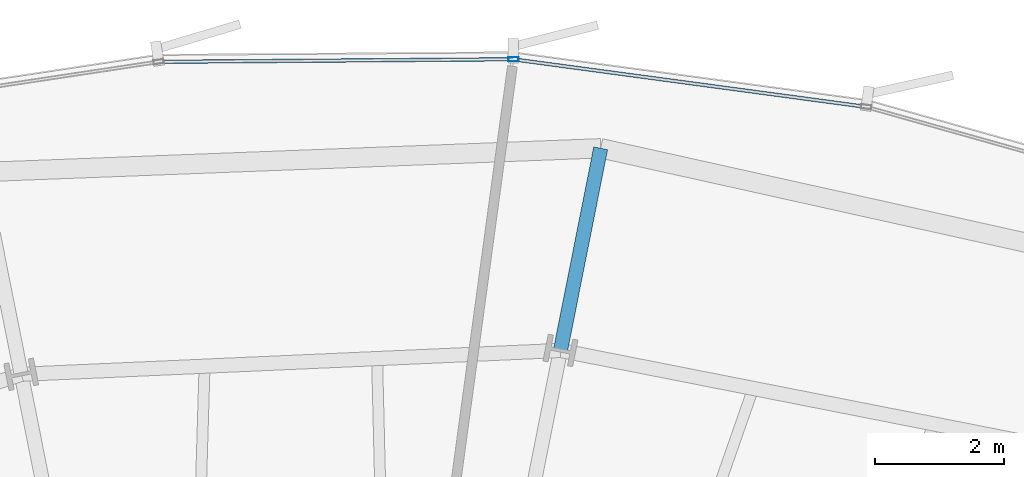
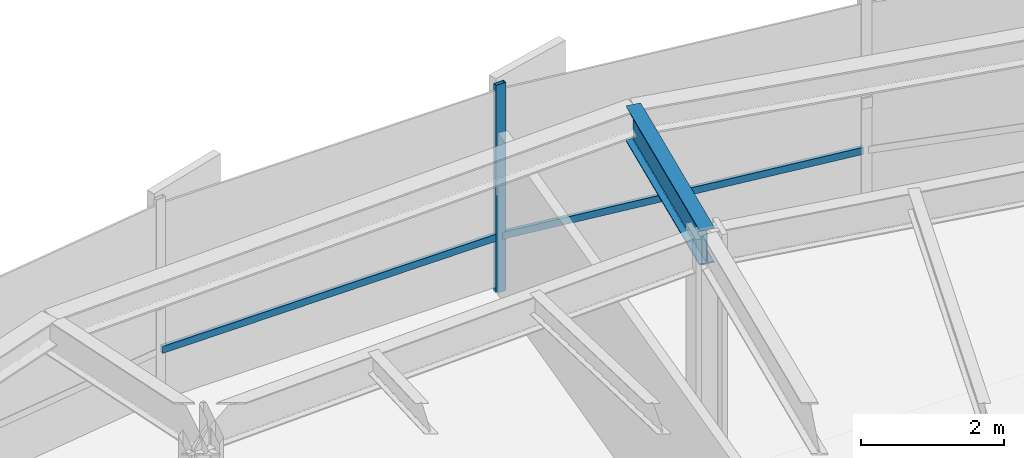
# One storey, part 26 of 37: 3 members, 1 beam, 1 element without a shape of its own.
"""IFC4 building model written with IfcOpenShell, lengths in metres."""

from ifc_helpers import new_model, si_unit, direction, frame, origin, origin_2d, place, context, subcontext, project, spatial, hollow_rectangle, i_section, extrude, source, transform, mapped, material, layer, layer_set, material_profile, profile_set, type_object, element, aggregate, save


model = new_model("IFC4")

# Units and contexts
model_context = context("Model", 3, precision=1e-05, world=origin(), true_north=direction((0.0, 1.0)))
body_context = subcontext(model_context, "Body", "Model", "MODEL_VIEW")
ifc_project = project(units=[si_unit("LENGTHUNIT", "METRE"), si_unit("AREAUNIT", "SQUARE_METRE"), si_unit("VOLUMEUNIT", "CUBIC_METRE"), si_unit("PLANEANGLEUNIT", "RADIAN"), si_unit("MASSUNIT", "GRAM", prefix="KILO"), si_unit("THERMODYNAMICTEMPERATUREUNIT", "KELVIN")], contexts=[model_context])

# Site, building, storey
site_placement = place(None, origin())
site = spatial("IfcSite", under=ifc_project, at=site_placement, CompositionType="ELEMENT")
building_placement = place(site_placement, origin())
building = spatial("IfcBuilding", under=site, at=building_placement, Name="Kethvar Cultural Tower", CompositionType="ELEMENT")
storey_placement = place(building_placement, frame((0.0, 0.0, 48.60009765625)))
storey = spatial("IfcBuildingStorey", under=building, at=storey_placement, Name="L11", CompositionType="ELEMENT", Elevation=48.60009765625)

# Beam
ifc_material_1 = material(Name="Steel S355J2", Category="steel")
ifc_material_profile_1 = material_profile(ifc_material_1, i_section(OverallWidth=0.219970703125, OverallDepth=0.60009765625, WebThickness=0.011962890625, FlangeThickness=0.01904296875, FilletRadius=0.02392578125, at=origin_2d()), Name="Steel S355J2 — IPE600")
ifc_profile_set_1 = profile_set([ifc_material_profile_1], Name="Steel S355J2 — IPE600")
beam_type = type_object("IfcBeamType", Name="BM-IPE600", PredefinedType="BEAM", material=ifc_profile_set_1)
shared_shape_1 = source(origin(), body_context, "Body", "SweptSolid", [
    extrude(i_section(OverallWidth=0.219970703125, OverallDepth=0.60009765625, WebThickness=0.011962890625, FlangeThickness=0.01904296875, FilletRadius=0.02392578125, at=origin_2d()), origin(), (0.0, 0.0, 1.0), 3.199951171875),
])
beam_placement = place(storey_placement, frame((51.022216796875, 49.02587890625, 3.247802734375), z_axis=(0.195088965533, 0.980785550224, 0.0), x_axis=(-0.980785550224, 0.195088965533, 0.0)))
element("IfcBeam", 1, at=beam_placement, inside=storey, type_object=beam_type, Name="L11 Perimeter Cantilever Beam RC-04", PredefinedType="BEAM", context=body_context, shape_type="MappedRepresentation", body=[
    mapped(shared_shape_1, transform((0.0, 0.0, 0.0), scale=1.0)),
])

# Curtain wall, members
ifc_material_2 = material(Name="Aluminium 6063-T6", Category="aluminium")
ifc_layer = layer(ifc_material_2, 0.179931640625, Name="Aluminium 6063-T6", Category="aluminium")
ifc_layer_set = layer_set([ifc_layer], Name="Aluminium 6063-T6 (180 mm)")
curtain_wall_type = type_object("IfcCurtainWallType", Name="CW-SYS-02-Z1", PredefinedType="NOTDEFINED", material=ifc_layer_set)
curtain_wall_placement = place(storey_placement, origin())
curtain_wall = element("IfcCurtainWall", 2, at=curtain_wall_placement, inside=storey, type_object=curtain_wall_type, Name="L11 Curtain Wall Run 02", PredefinedType="NOTDEFINED")
ifc_material_profile_2 = material_profile(ifc_material_2, hollow_rectangle(XDim=0.06494140625, YDim=0.159912109375, WallThickness=0.0048828125, at=origin_2d()), Name="Aluminium 6063-T6 — RHS160x65x5")
ifc_profile_set_2 = profile_set([ifc_material_profile_2], Name="Aluminium 6063-T6 — RHS160x65x5")
member_type_1 = type_object("IfcMemberType", Name="CW-SYS-02-Z1-MUL", PredefinedType="MULLION", material=ifc_profile_set_2)
shared_shape_2 = source(origin(), body_context, "Body", "SweptSolid", [
    extrude(hollow_rectangle(XDim=0.06494140625, YDim=0.159912109375, WallThickness=0.0048828125, at=origin_2d()), origin(), (0.0, 0.0, 1.0), 3.5498046875),
])
member_1_placement = place(storey_placement, frame((50.291748046875, 53.546142578125, 0.0), z_axis=(0.0, 0.0, 1.0), x_axis=(0.007225600228, -0.99997389501, 0.0)))
member_1 = element("IfcMember", 3, at=member_1_placement, type_object=member_type_1, Name="CW-L11-R02 Mullion 3", PredefinedType="MULLION", context=body_context, shape_type="MappedRepresentation", body=[
    mapped(shared_shape_2, transform((0.0, 0.0, 0.0), scale=1.0)),
])
ifc_material_profile_3 = material_profile(ifc_material_2, hollow_rectangle(XDim=0.054931640625, YDim=0.1201171875, WallThickness=0.00390625, at=origin_2d()), Name="Aluminium 6063-T6 — RHS120x55x4")
ifc_profile_set_3 = profile_set([ifc_material_profile_3], Name="Aluminium 6063-T6 — RHS120x55x4")
member_type_2 = type_object("IfcMemberType", Name="CW-SYS-02-Z1-TRN", PredefinedType="USERDEFINED", material=ifc_profile_set_3)
shared_shape_3 = source(origin(), body_context, "Body", "SweptSolid", [
    extrude(hollow_rectangle(XDim=0.054931640625, YDim=0.1201171875, WallThickness=0.00390625, at=origin_2d()), origin(), (0.0, 0.0, 1.0), 5.449462890625),
])
member_2_placement = place(storey_placement, frame((55.721923828125, 52.8134765625, 0.949951171875), z_axis=(-0.991047784592, 0.133507635192, 0.0), x_axis=(-0.133507635192, -0.991047784592, 0.0)))
member_2 = element("IfcMember", 4, at=member_2_placement, type_object=member_type_2, Name="CW-L11-R02 Transom 2", ObjectType="TRANSOM", PredefinedType="USERDEFINED", context=body_context, shape_type="MappedRepresentation", body=[
    mapped(shared_shape_3, transform((0.0, 0.0, 0.0), scale=1.0)),
])
shared_shape_4 = source(origin(), body_context, "Body", "SweptSolid", [
    extrude(hollow_rectangle(XDim=0.054931640625, YDim=0.1201171875, WallThickness=0.00390625, at=origin_2d()), origin(), (0.0, 0.0, 1.0), 5.43017578125),
])
member_3_placement = place(storey_placement, frame((50.2451171875, 53.5458984375, 0.949951171875), z_axis=(-0.999973800315, -0.007238693487, 0.0), x_axis=(0.007238693487, -0.999973800315, 0.0)))
member_3 = element("IfcMember", 5, at=member_3_placement, type_object=member_type_2, Name="CW-L11-R02 Transom 3", ObjectType="TRANSOM", PredefinedType="USERDEFINED", context=body_context, shape_type="MappedRepresentation", body=[
    mapped(shared_shape_4, transform((0.0, 0.0, 0.0), scale=1.0)),
])
aggregate(curtain_wall, [member_1, member_2, member_3])

save(model, "model.ifc")
